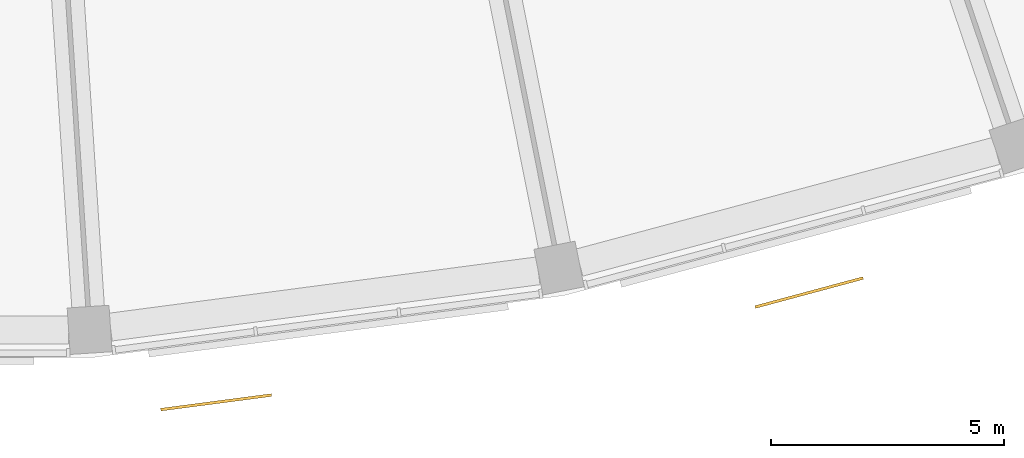
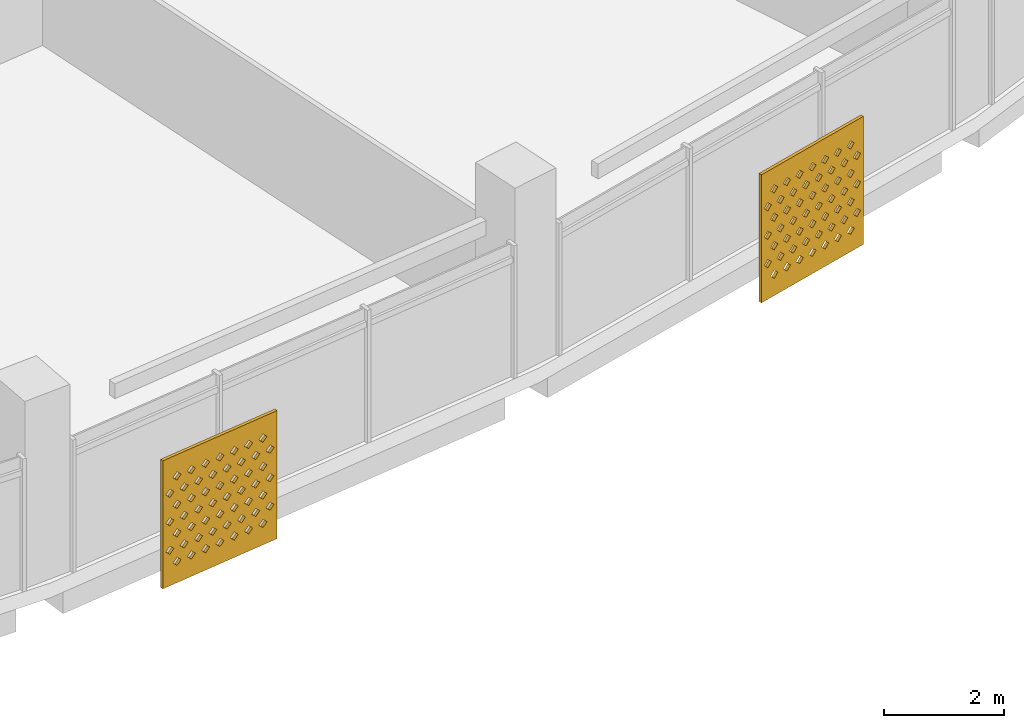
# One storey, part 26 of 28: 2 shading devices.
"""IFC4 building model written with IfcOpenShell, lengths in metres."""

import ifcopenshell
import ifcopenshell.guid

model = None  # the IFC model being written
_history = None  # IfcOwnerHistory: only IFC2X3 demands one
_inside = {}  # id of a spatial element -> (the spatial element, [elements in it])
_under = {}  # id of a project, library or spatial element -> (it, [spatial elements below it])
_declared = {}  # id of a project -> (the project, [libraries it declares])
_typed = {}  # id of a type object -> (the type object, [elements of that type])
_made_of = {}  # id of a material, layer set ... -> (it, [elements and type objects made of it])


def new_model(schema):
    """Start an empty IFC model of exactly this schema.

    Asked for "IFC4X3", IfcOpenShell would pick the latest addendum, in which some entities
    have other attributes; the version numbers below select the first issue.
    IFC2X3 requires an IfcOwnerHistory on every rooted entity: one is made here for all.
    """
    global model, _history
    if schema == "IFC4X3":
        model = ifcopenshell.file(schema_version=(4, 3, 0, 0))
    else:
        model = ifcopenshell.file(schema=schema)
    _inside.clear()
    _under.clear()
    _declared.clear()
    _typed.clear()
    _made_of.clear()
    _history = None
    if model.schema == "IFC2X3":
        org = make("IfcOrganization", Name="unknown")
        user = make(
            "IfcPersonAndOrganization",
            ThePerson=make("IfcPerson", FamilyName="unknown"),
            TheOrganization=org,
        )
        app = make(
            "IfcApplication",
            ApplicationDeveloper=org,
            Version="unknown",
            ApplicationFullName="unknown",
            ApplicationIdentifier="unknown",
        )
        _history = make(
            "IfcOwnerHistory",
            OwningUser=user,
            OwningApplication=app,
            ChangeAction="ADDED",
            CreationDate=0,
        )
    return model


def make(cls, **values):
    """One entity of the class cls with the attributes given. An attribute that is None is left unset."""
    return model.create_entity(
        cls, **{name: value for name, value in values.items() if value is not None}
    )


def rooted(cls, **values):
    """An entity with a GlobalId (a new one), such as an element, a storey or a relation."""
    return make(cls, GlobalId=ifcopenshell.guid.new(), OwnerHistory=_history, **values)


def si_unit(unit_type, name, prefix=None):
    """IfcSIUnit, for example si_unit("LENGTHUNIT", "METRE", prefix="MILLI")."""
    return make("IfcSIUnit", UnitType=unit_type, Prefix=prefix, Name=name)


def assignment(units):
    """IfcUnitAssignment: the units of a project."""
    return None if units is None else make("IfcUnitAssignment", Units=units)


def point(xyz):
    """IfcCartesianPoint."""
    return None if xyz is None else make("IfcCartesianPoint", Coordinates=xyz)


def direction(xyz):
    """IfcDirection."""
    return None if xyz is None else make("IfcDirection", DirectionRatios=xyz)


def frame(location, z_axis=None, x_axis=None):
    """IfcAxis2Placement3D, a coordinate frame: its origin and axes. An axis left out is left unset."""
    return make(
        "IfcAxis2Placement3D",
        Location=point(location),
        Axis=direction(z_axis),
        RefDirection=direction(x_axis),
    )


def origin():
    """The frame at (0, 0, 0) with its axes left unset."""
    return frame((0.0, 0.0, 0.0))


def place(relative_to, where):
    """IfcLocalPlacement: puts the frame where relative to a parent placement (None: the world)."""
    return make(
        "IfcLocalPlacement", PlacementRelTo=relative_to, RelativePlacement=where
    )


def context(
    kind, dimensions, precision=None, world=None, true_north=None, identifier=None
):
    """IfcGeometricRepresentationContext, for example the 3D "Model" context."""
    return make(
        "IfcGeometricRepresentationContext",
        ContextIdentifier=identifier,
        ContextType=kind,
        CoordinateSpaceDimension=dimensions,
        Precision=precision,
        WorldCoordinateSystem=world,
        TrueNorth=true_north,
    )


def subcontext(parent, identifier, kind, view, scale=None):
    """IfcGeometricRepresentationSubContext, for example "Body" below "Model"."""
    return make(
        "IfcGeometricRepresentationSubContext",
        ContextIdentifier=identifier,
        ContextType=kind,
        ParentContext=parent,
        TargetScale=scale,
        TargetView=view,
    )


def project(units=None, contexts=None):
    """IfcProject with its units and contexts."""
    return rooted(
        "IfcProject",
        Name="project",
        RepresentationContexts=contexts,
        UnitsInContext=assignment(units),
    )


def spatial(cls, under=None, at=None, **own):
    """A site, building, storey or space (cls), placed at a placement, below another one or the project."""
    s = rooted(cls, ObjectPlacement=at, **own)
    if under is not None:
        _under.setdefault(under.id(), (under, []))[1].append(s)
    return s


def polyline(points):
    """IfcPolyline through the points."""
    return make("IfcPolyline", Points=[point(p) for p in points])


def outline(outer, holes=None, kind="AREA"):
    """IfcArbitraryClosedProfileDef: a profile drawn as a closed curve; with holes, ...WithVoids."""
    if holes is None:
        return make("IfcArbitraryClosedProfileDef", ProfileType=kind, OuterCurve=outer)
    return make(
        "IfcArbitraryProfileDefWithVoids",
        ProfileType=kind,
        OuterCurve=outer,
        InnerCurves=holes,
    )


def extrude(swept, where, along, depth):
    """IfcExtrudedAreaSolid: the profile swept, set in the frame where, extruded along a direction by depth."""
    return make(
        "IfcExtrudedAreaSolid",
        SweptArea=swept,
        Position=where,
        ExtrudedDirection=direction(along),
        Depth=depth,
    )


def shape(context_of_items, identifier, shape_type, items):
    """IfcShapeRepresentation: the items that make up one representation, for example the "Body"."""
    return make(
        "IfcShapeRepresentation",
        ContextOfItems=context_of_items,
        RepresentationIdentifier=identifier,
        RepresentationType=shape_type,
        Items=items,
    )


def material(Name=None, Category=None):
    """IfcMaterial."""
    return make("IfcMaterial", Name=Name, Category=Category)


def material_profile(
    of_material, cross_section, Name=None, Category=None, Priority=None
):
    """IfcMaterialProfile: a cross section and its material."""
    return make(
        "IfcMaterialProfile",
        Name=Name,
        Material=of_material,
        Profile=cross_section,
        Priority=Priority,
        Category=Category,
    )


def profile_set(profiles, Name=None, composite=None):
    """IfcMaterialProfileSet."""
    return make(
        "IfcMaterialProfileSet",
        Name=Name,
        MaterialProfiles=profiles,
        CompositeProfile=composite,
    )


def made_of(thing, what):
    """Note that an element or type object is made of a material, layer set ...; save() writes the relation."""
    if what is not None:
        _made_of.setdefault(what.id(), (what, []))[1].append(thing)
    return thing


def type_object(cls, material=None, **own):
    """A type object (cls), such as IfcWallType, which elements share."""
    return made_of(rooted(cls, **own), material)


def element(
    cls,
    number,
    at=None,
    inside=None,
    cuts=None,
    type_object=None,
    material=None,
    context=None,
    identifier="Body",
    shape_type=None,
    held_by="IfcProductDefinitionShape",
    body=None,
    shapes=None,
    **own,
):
    """One element of the class cls, such as IfcWall. Its Tag is "e" and its number.

    at: its placement. inside: the storey or other place that contains it. cuts: it is an
    opening in that element (IfcRelVoidsElement). A single representation is given by context,
    identifier, shape_type and body (its items); several are given by shapes. held_by: the class
    of the entity that holds the representations. save() writes the other relations.
    """
    e = rooted(cls, Tag="e%d" % number, ObjectPlacement=at, **own)
    if body is not None:
        shapes = [shape(context, identifier, shape_type, body)]
    if shapes is not None:
        e.Representation = make(held_by, Representations=shapes)
    if inside is not None:
        _inside.setdefault(inside.id(), (inside, []))[1].append(e)
    if cuts is not None:
        rooted(
            "IfcRelVoidsElement", RelatingBuildingElement=cuts, RelatedOpeningElement=e
        )
    if type_object is not None:
        _typed.setdefault(type_object.id(), (type_object, []))[1].append(e)
    return made_of(e, material)


def aggregate(whole, parts):
    """IfcRelAggregates: a whole, such as a stair, and the parts it consists of."""
    return rooted("IfcRelAggregates", RelatingObject=whole, RelatedObjects=parts)


def save(model, path):
    """Write the relations noted so far, then the file.

    IfcRelAggregates (storeys below a building ...), IfcRelContainedInSpatialStructure (elements
    in a storey), IfcRelDefinesByType, IfcRelAssociatesMaterial and IfcRelDeclares: one each for
    every whole, place, type object, material and project.
    """
    for whole, parts in _under.values():
        aggregate(whole, parts)
    for where, things in _inside.values():
        rooted(
            "IfcRelContainedInSpatialStructure",
            RelatedElements=things,
            RelatingStructure=where,
        )
    for kind, things in _typed.values():
        rooted("IfcRelDefinesByType", RelatedObjects=things, RelatingType=kind)
    for what, things in _made_of.values():
        rooted("IfcRelAssociatesMaterial", RelatedObjects=things, RelatingMaterial=what)
    for by, libraries in _declared.values():
        rooted("IfcRelDeclares", RelatingContext=by, RelatedDefinitions=libraries)
    model.write(path)


model = new_model("IFC4")

# Units and contexts
model_context = context("Model", 3, precision=1e-05, world=origin(), true_north=direction((0.0, 1.0)))
body_context = subcontext(model_context, "Body", "Model", "MODEL_VIEW")
ifc_project = project(units=[si_unit("LENGTHUNIT", "METRE"), si_unit("AREAUNIT", "SQUARE_METRE"), si_unit("VOLUMEUNIT", "CUBIC_METRE"), si_unit("PLANEANGLEUNIT", "RADIAN"), si_unit("MASSUNIT", "GRAM", prefix="KILO")], contexts=[model_context])

# Site, building, storey
site_placement = place(None, origin())
site = spatial("IfcSite", under=ifc_project, at=site_placement, CompositionType="ELEMENT")
building_placement = place(site_placement, origin())
building = spatial("IfcBuilding", under=site, at=building_placement, Name="Qamariyya Broadcast Tower", CompositionType="ELEMENT")
storey_placement = place(building_placement, frame((0.0, 0.0, 269.5)))
storey = spatial("IfcBuildingStorey", under=building, at=storey_placement, Name="L65", CompositionType="ELEMENT", Elevation=269.5)

# Shading devices
ifc_material = material(Name="Perforated glazed terracotta", Category="masonry")
ifc_material_profile = material_profile(ifc_material, outline(polyline([(-1.199951171875, -1.300048828125), (1.199951171875, -1.300048828125), (1.199951171875, 1.300048828125), (-1.199951171875, 1.300048828125), (-1.199951171875, -1.300048828125)]), holes=[polyline([(-0.81494140625, -0.86669921875), (-0.89990234375, -0.78173828125), (-0.985107421875, -0.86669921875), (-0.89990234375, -0.95166015625), (-0.81494140625, -0.86669921875)]), polyline([(-0.514892578125, -0.86669921875), (-0.60009765625, -0.78173828125), (-0.68505859375, -0.86669921875), (-0.60009765625, -0.95166015625), (-0.514892578125, -0.86669921875)]), polyline([(-0.215087890625, -0.86669921875), (-0.300048828125, -0.78173828125), (-0.385009765625, -0.86669921875), (-0.300048828125, -0.95166015625), (-0.215087890625, -0.86669921875)]), polyline([(0.0849609375, -0.86669921875), (0.0, -0.78173828125), (-0.0849609375, -0.86669921875), (0.0, -0.95166015625), (0.0849609375, -0.86669921875)]), polyline([(0.385009765625, -0.86669921875), (0.300048828125, -0.78173828125), (0.215087890625, -0.86669921875), (0.300048828125, -0.95166015625), (0.385009765625, -0.86669921875)]), polyline([(0.68505859375, -0.86669921875), (0.60009765625, -0.78173828125), (0.514892578125, -0.86669921875), (0.60009765625, -0.95166015625), (0.68505859375, -0.86669921875)]), polyline([(0.985107421875, -0.86669921875), (0.89990234375, -0.78173828125), (0.81494140625, -0.86669921875), (0.89990234375, -0.95166015625), (0.985107421875, -0.86669921875)]), polyline([(-0.965087890625, -0.577880859375), (-1.050048828125, -0.49267578125), (-1.135009765625, -0.577880859375), (-1.050048828125, -0.662841796875), (-0.965087890625, -0.577880859375)]), polyline([(-0.6650390625, -0.577880859375), (-0.75, -0.49267578125), (-0.8349609375, -0.577880859375), (-0.75, -0.662841796875), (-0.6650390625, -0.577880859375)]), polyline([(-0.364990234375, -0.577880859375), (-0.449951171875, -0.49267578125), (-0.534912109375, -0.577880859375), (-0.449951171875, -0.662841796875), (-0.364990234375, -0.577880859375)]), polyline([(-0.06494140625, -0.577880859375), (-0.14990234375, -0.49267578125), (-0.235107421875, -0.577880859375), (-0.14990234375, -0.662841796875), (-0.06494140625, -0.577880859375)]), polyline([(0.235107421875, -0.577880859375), (0.14990234375, -0.49267578125), (0.06494140625, -0.577880859375), (0.14990234375, -0.662841796875), (0.235107421875, -0.577880859375)]), polyline([(0.534912109375, -0.577880859375), (0.449951171875, -0.49267578125), (0.364990234375, -0.577880859375), (0.449951171875, -0.662841796875), (0.534912109375, -0.577880859375)]), polyline([(0.8349609375, -0.577880859375), (0.75, -0.49267578125), (0.6650390625, -0.577880859375), (0.75, -0.662841796875), (0.8349609375, -0.577880859375)]), polyline([(1.135009765625, -0.577880859375), (1.050048828125, -0.49267578125), (0.965087890625, -0.577880859375), (1.050048828125, -0.662841796875), (1.135009765625, -0.577880859375)]), polyline([(-0.81494140625, -0.288818359375), (-0.89990234375, -0.203857421875), (-0.985107421875, -0.288818359375), (-0.89990234375, -0.373779296875), (-0.81494140625, -0.288818359375)]), polyline([(-0.514892578125, -0.288818359375), (-0.60009765625, -0.203857421875), (-0.68505859375, -0.288818359375), (-0.60009765625, -0.373779296875), (-0.514892578125, -0.288818359375)]), polyline([(-0.215087890625, -0.288818359375), (-0.300048828125, -0.203857421875), (-0.385009765625, -0.288818359375), (-0.300048828125, -0.373779296875), (-0.215087890625, -0.288818359375)]), polyline([(0.0849609375, -0.288818359375), (0.0, -0.203857421875), (-0.0849609375, -0.288818359375), (0.0, -0.373779296875), (0.0849609375, -0.288818359375)]), polyline([(0.385009765625, -0.288818359375), (0.300048828125, -0.203857421875), (0.215087890625, -0.288818359375), (0.300048828125, -0.373779296875), (0.385009765625, -0.288818359375)]), polyline([(0.68505859375, -0.288818359375), (0.60009765625, -0.203857421875), (0.514892578125, -0.288818359375), (0.60009765625, -0.373779296875), (0.68505859375, -0.288818359375)]), polyline([(0.985107421875, -0.288818359375), (0.89990234375, -0.203857421875), (0.81494140625, -0.288818359375), (0.89990234375, -0.373779296875), (0.985107421875, -0.288818359375)]), polyline([(-0.965087890625, 0.0), (-1.050048828125, 0.0849609375), (-1.135009765625, 0.0), (-1.050048828125, -0.0849609375), (-0.965087890625, 0.0)]), polyline([(-0.6650390625, 0.0), (-0.75, 0.0849609375), (-0.8349609375, 0.0), (-0.75, -0.0849609375), (-0.6650390625, 0.0)]), polyline([(-0.364990234375, 0.0), (-0.449951171875, 0.0849609375), (-0.534912109375, 0.0), (-0.449951171875, -0.0849609375), (-0.364990234375, 0.0)]), polyline([(-0.06494140625, 0.0), (-0.14990234375, 0.0849609375), (-0.235107421875, 0.0), (-0.14990234375, -0.0849609375), (-0.06494140625, 0.0)]), polyline([(0.235107421875, 0.0), (0.14990234375, 0.0849609375), (0.06494140625, 0.0), (0.14990234375, -0.0849609375), (0.235107421875, 0.0)]), polyline([(0.534912109375, 0.0), (0.449951171875, 0.0849609375), (0.364990234375, 0.0), (0.449951171875, -0.0849609375), (0.534912109375, 0.0)]), polyline([(0.8349609375, 0.0), (0.75, 0.0849609375), (0.6650390625, 0.0), (0.75, -0.0849609375), (0.8349609375, 0.0)]), polyline([(1.135009765625, 0.0), (1.050048828125, 0.0849609375), (0.965087890625, 0.0), (1.050048828125, -0.0849609375), (1.135009765625, 0.0)]), polyline([(-0.81494140625, 0.288818359375), (-0.89990234375, 0.373779296875), (-0.985107421875, 0.288818359375), (-0.89990234375, 0.203857421875), (-0.81494140625, 0.288818359375)]), polyline([(-0.514892578125, 0.288818359375), (-0.60009765625, 0.373779296875), (-0.68505859375, 0.288818359375), (-0.60009765625, 0.203857421875), (-0.514892578125, 0.288818359375)]), polyline([(-0.215087890625, 0.288818359375), (-0.300048828125, 0.373779296875), (-0.385009765625, 0.288818359375), (-0.300048828125, 0.203857421875), (-0.215087890625, 0.288818359375)]), polyline([(0.0849609375, 0.288818359375), (0.0, 0.373779296875), (-0.0849609375, 0.288818359375), (0.0, 0.203857421875), (0.0849609375, 0.288818359375)]), polyline([(0.385009765625, 0.288818359375), (0.300048828125, 0.373779296875), (0.215087890625, 0.288818359375), (0.300048828125, 0.203857421875), (0.385009765625, 0.288818359375)]), polyline([(0.68505859375, 0.288818359375), (0.60009765625, 0.373779296875), (0.514892578125, 0.288818359375), (0.60009765625, 0.203857421875), (0.68505859375, 0.288818359375)]), polyline([(0.985107421875, 0.288818359375), (0.89990234375, 0.373779296875), (0.81494140625, 0.288818359375), (0.89990234375, 0.203857421875), (0.985107421875, 0.288818359375)]), polyline([(-0.965087890625, 0.577880859375), (-1.050048828125, 0.662841796875), (-1.135009765625, 0.577880859375), (-1.050048828125, 0.49267578125), (-0.965087890625, 0.577880859375)]), polyline([(-0.6650390625, 0.577880859375), (-0.75, 0.662841796875), (-0.8349609375, 0.577880859375), (-0.75, 0.49267578125), (-0.6650390625, 0.577880859375)]), polyline([(-0.364990234375, 0.577880859375), (-0.449951171875, 0.662841796875), (-0.534912109375, 0.577880859375), (-0.449951171875, 0.49267578125), (-0.364990234375, 0.577880859375)]), polyline([(-0.06494140625, 0.577880859375), (-0.14990234375, 0.662841796875), (-0.235107421875, 0.577880859375), (-0.14990234375, 0.49267578125), (-0.06494140625, 0.577880859375)]), polyline([(0.235107421875, 0.577880859375), (0.14990234375, 0.662841796875), (0.06494140625, 0.577880859375), (0.14990234375, 0.49267578125), (0.235107421875, 0.577880859375)]), polyline([(0.534912109375, 0.577880859375), (0.449951171875, 0.662841796875), (0.364990234375, 0.577880859375), (0.449951171875, 0.49267578125), (0.534912109375, 0.577880859375)]), polyline([(0.8349609375, 0.577880859375), (0.75, 0.662841796875), (0.6650390625, 0.577880859375), (0.75, 0.49267578125), (0.8349609375, 0.577880859375)]), polyline([(1.135009765625, 0.577880859375), (1.050048828125, 0.662841796875), (0.965087890625, 0.577880859375), (1.050048828125, 0.49267578125), (1.135009765625, 0.577880859375)]), polyline([(-0.81494140625, 0.86669921875), (-0.89990234375, 0.95166015625), (-0.985107421875, 0.86669921875), (-0.89990234375, 0.78173828125), (-0.81494140625, 0.86669921875)]), polyline([(-0.514892578125, 0.86669921875), (-0.60009765625, 0.95166015625), (-0.68505859375, 0.86669921875), (-0.60009765625, 0.78173828125), (-0.514892578125, 0.86669921875)]), polyline([(-0.215087890625, 0.86669921875), (-0.300048828125, 0.95166015625), (-0.385009765625, 0.86669921875), (-0.300048828125, 0.78173828125), (-0.215087890625, 0.86669921875)]), polyline([(0.0849609375, 0.86669921875), (0.0, 0.95166015625), (-0.0849609375, 0.86669921875), (0.0, 0.78173828125), (0.0849609375, 0.86669921875)]), polyline([(0.385009765625, 0.86669921875), (0.300048828125, 0.95166015625), (0.215087890625, 0.86669921875), (0.300048828125, 0.78173828125), (0.385009765625, 0.86669921875)]), polyline([(0.68505859375, 0.86669921875), (0.60009765625, 0.95166015625), (0.514892578125, 0.86669921875), (0.60009765625, 0.78173828125), (0.68505859375, 0.86669921875)]), polyline([(0.985107421875, 0.86669921875), (0.89990234375, 0.95166015625), (0.81494140625, 0.86669921875), (0.89990234375, 0.78173828125), (0.985107421875, 0.86669921875)])]))
ifc_profile_set = profile_set([ifc_material_profile], Name="Perforated glazed terracotta")
shading_device_type = type_object("IfcShadingDeviceType", Name="Perforated terracotta screen 2400 x 2600", PredefinedType="USERDEFINED", material=ifc_profile_set)
shading_device_1_placement = place(storey_placement, frame((7.799560546875, -79.111083984375, 1.35009765625), z_axis=(0.13056005306, -0.991440402921, 0.0), x_axis=(0.991440402921, 0.13056005306, 0.0)))
element("IfcShadingDevice", 1, at=shading_device_1_placement, inside=storey, type_object=shading_device_type, Name="e-scr-L65-08-0", ObjectType="SCREEN", PredefinedType="USERDEFINED", context=body_context, shape_type="SweptSolid", body=[
    extrude(outline(polyline([(-1.199951171875, -1.300048828125), (1.199951171875, -1.300048828125), (1.199951171875, 1.300048828125), (-1.199951171875, 1.300048828125), (-1.199951171875, -1.300048828125)]), holes=[polyline([(-0.81494140625, -0.86669921875), (-0.89990234375, -0.78173828125), (-0.985107421875, -0.86669921875), (-0.89990234375, -0.95166015625), (-0.81494140625, -0.86669921875)]), polyline([(-0.514892578125, -0.86669921875), (-0.60009765625, -0.78173828125), (-0.68505859375, -0.86669921875), (-0.60009765625, -0.95166015625), (-0.514892578125, -0.86669921875)]), polyline([(-0.215087890625, -0.86669921875), (-0.300048828125, -0.78173828125), (-0.385009765625, -0.86669921875), (-0.300048828125, -0.95166015625), (-0.215087890625, -0.86669921875)]), polyline([(0.0849609375, -0.86669921875), (0.0, -0.78173828125), (-0.0849609375, -0.86669921875), (0.0, -0.95166015625), (0.0849609375, -0.86669921875)]), polyline([(0.385009765625, -0.86669921875), (0.300048828125, -0.78173828125), (0.215087890625, -0.86669921875), (0.300048828125, -0.95166015625), (0.385009765625, -0.86669921875)]), polyline([(0.68505859375, -0.86669921875), (0.60009765625, -0.78173828125), (0.514892578125, -0.86669921875), (0.60009765625, -0.95166015625), (0.68505859375, -0.86669921875)]), polyline([(0.985107421875, -0.86669921875), (0.89990234375, -0.78173828125), (0.81494140625, -0.86669921875), (0.89990234375, -0.95166015625), (0.985107421875, -0.86669921875)]), polyline([(-0.965087890625, -0.577880859375), (-1.050048828125, -0.49267578125), (-1.135009765625, -0.577880859375), (-1.050048828125, -0.662841796875), (-0.965087890625, -0.577880859375)]), polyline([(-0.6650390625, -0.577880859375), (-0.75, -0.49267578125), (-0.8349609375, -0.577880859375), (-0.75, -0.662841796875), (-0.6650390625, -0.577880859375)]), polyline([(-0.364990234375, -0.577880859375), (-0.449951171875, -0.49267578125), (-0.534912109375, -0.577880859375), (-0.449951171875, -0.662841796875), (-0.364990234375, -0.577880859375)]), polyline([(-0.06494140625, -0.577880859375), (-0.14990234375, -0.49267578125), (-0.235107421875, -0.577880859375), (-0.14990234375, -0.662841796875), (-0.06494140625, -0.577880859375)]), polyline([(0.235107421875, -0.577880859375), (0.14990234375, -0.49267578125), (0.06494140625, -0.577880859375), (0.14990234375, -0.662841796875), (0.235107421875, -0.577880859375)]), polyline([(0.534912109375, -0.577880859375), (0.449951171875, -0.49267578125), (0.364990234375, -0.577880859375), (0.449951171875, -0.662841796875), (0.534912109375, -0.577880859375)]), polyline([(0.8349609375, -0.577880859375), (0.75, -0.49267578125), (0.6650390625, -0.577880859375), (0.75, -0.662841796875), (0.8349609375, -0.577880859375)]), polyline([(1.135009765625, -0.577880859375), (1.050048828125, -0.49267578125), (0.965087890625, -0.577880859375), (1.050048828125, -0.662841796875), (1.135009765625, -0.577880859375)]), polyline([(-0.81494140625, -0.288818359375), (-0.89990234375, -0.203857421875), (-0.985107421875, -0.288818359375), (-0.89990234375, -0.373779296875), (-0.81494140625, -0.288818359375)]), polyline([(-0.514892578125, -0.288818359375), (-0.60009765625, -0.203857421875), (-0.68505859375, -0.288818359375), (-0.60009765625, -0.373779296875), (-0.514892578125, -0.288818359375)]), polyline([(-0.215087890625, -0.288818359375), (-0.300048828125, -0.203857421875), (-0.385009765625, -0.288818359375), (-0.300048828125, -0.373779296875), (-0.215087890625, -0.288818359375)]), polyline([(0.0849609375, -0.288818359375), (0.0, -0.203857421875), (-0.0849609375, -0.288818359375), (0.0, -0.373779296875), (0.0849609375, -0.288818359375)]), polyline([(0.385009765625, -0.288818359375), (0.300048828125, -0.203857421875), (0.215087890625, -0.288818359375), (0.300048828125, -0.373779296875), (0.385009765625, -0.288818359375)]), polyline([(0.68505859375, -0.288818359375), (0.60009765625, -0.203857421875), (0.514892578125, -0.288818359375), (0.60009765625, -0.373779296875), (0.68505859375, -0.288818359375)]), polyline([(0.985107421875, -0.288818359375), (0.89990234375, -0.203857421875), (0.81494140625, -0.288818359375), (0.89990234375, -0.373779296875), (0.985107421875, -0.288818359375)]), polyline([(-0.965087890625, 0.0), (-1.050048828125, 0.0849609375), (-1.135009765625, 0.0), (-1.050048828125, -0.0849609375), (-0.965087890625, 0.0)]), polyline([(-0.6650390625, 0.0), (-0.75, 0.0849609375), (-0.8349609375, 0.0), (-0.75, -0.0849609375), (-0.6650390625, 0.0)]), polyline([(-0.364990234375, 0.0), (-0.449951171875, 0.0849609375), (-0.534912109375, 0.0), (-0.449951171875, -0.0849609375), (-0.364990234375, 0.0)]), polyline([(-0.06494140625, 0.0), (-0.14990234375, 0.0849609375), (-0.235107421875, 0.0), (-0.14990234375, -0.0849609375), (-0.06494140625, 0.0)]), polyline([(0.235107421875, 0.0), (0.14990234375, 0.0849609375), (0.06494140625, 0.0), (0.14990234375, -0.0849609375), (0.235107421875, 0.0)]), polyline([(0.534912109375, 0.0), (0.449951171875, 0.0849609375), (0.364990234375, 0.0), (0.449951171875, -0.0849609375), (0.534912109375, 0.0)]), polyline([(0.8349609375, 0.0), (0.75, 0.0849609375), (0.6650390625, 0.0), (0.75, -0.0849609375), (0.8349609375, 0.0)]), polyline([(1.135009765625, 0.0), (1.050048828125, 0.0849609375), (0.965087890625, 0.0), (1.050048828125, -0.0849609375), (1.135009765625, 0.0)]), polyline([(-0.81494140625, 0.288818359375), (-0.89990234375, 0.373779296875), (-0.985107421875, 0.288818359375), (-0.89990234375, 0.203857421875), (-0.81494140625, 0.288818359375)]), polyline([(-0.514892578125, 0.288818359375), (-0.60009765625, 0.373779296875), (-0.68505859375, 0.288818359375), (-0.60009765625, 0.203857421875), (-0.514892578125, 0.288818359375)]), polyline([(-0.215087890625, 0.288818359375), (-0.300048828125, 0.373779296875), (-0.385009765625, 0.288818359375), (-0.300048828125, 0.203857421875), (-0.215087890625, 0.288818359375)]), polyline([(0.0849609375, 0.288818359375), (0.0, 0.373779296875), (-0.0849609375, 0.288818359375), (0.0, 0.203857421875), (0.0849609375, 0.288818359375)]), polyline([(0.385009765625, 0.288818359375), (0.300048828125, 0.373779296875), (0.215087890625, 0.288818359375), (0.300048828125, 0.203857421875), (0.385009765625, 0.288818359375)]), polyline([(0.68505859375, 0.288818359375), (0.60009765625, 0.373779296875), (0.514892578125, 0.288818359375), (0.60009765625, 0.203857421875), (0.68505859375, 0.288818359375)]), polyline([(0.985107421875, 0.288818359375), (0.89990234375, 0.373779296875), (0.81494140625, 0.288818359375), (0.89990234375, 0.203857421875), (0.985107421875, 0.288818359375)]), polyline([(-0.965087890625, 0.577880859375), (-1.050048828125, 0.662841796875), (-1.135009765625, 0.577880859375), (-1.050048828125, 0.49267578125), (-0.965087890625, 0.577880859375)]), polyline([(-0.6650390625, 0.577880859375), (-0.75, 0.662841796875), (-0.8349609375, 0.577880859375), (-0.75, 0.49267578125), (-0.6650390625, 0.577880859375)]), polyline([(-0.364990234375, 0.577880859375), (-0.449951171875, 0.662841796875), (-0.534912109375, 0.577880859375), (-0.449951171875, 0.49267578125), (-0.364990234375, 0.577880859375)]), polyline([(-0.06494140625, 0.577880859375), (-0.14990234375, 0.662841796875), (-0.235107421875, 0.577880859375), (-0.14990234375, 0.49267578125), (-0.06494140625, 0.577880859375)]), polyline([(0.235107421875, 0.577880859375), (0.14990234375, 0.662841796875), (0.06494140625, 0.577880859375), (0.14990234375, 0.49267578125), (0.235107421875, 0.577880859375)]), polyline([(0.534912109375, 0.577880859375), (0.449951171875, 0.662841796875), (0.364990234375, 0.577880859375), (0.449951171875, 0.49267578125), (0.534912109375, 0.577880859375)]), polyline([(0.8349609375, 0.577880859375), (0.75, 0.662841796875), (0.6650390625, 0.577880859375), (0.75, 0.49267578125), (0.8349609375, 0.577880859375)]), polyline([(1.135009765625, 0.577880859375), (1.050048828125, 0.662841796875), (0.965087890625, 0.577880859375), (1.050048828125, 0.49267578125), (1.135009765625, 0.577880859375)]), polyline([(-0.81494140625, 0.86669921875), (-0.89990234375, 0.95166015625), (-0.985107421875, 0.86669921875), (-0.89990234375, 0.78173828125), (-0.81494140625, 0.86669921875)]), polyline([(-0.514892578125, 0.86669921875), (-0.60009765625, 0.95166015625), (-0.68505859375, 0.86669921875), (-0.60009765625, 0.78173828125), (-0.514892578125, 0.86669921875)]), polyline([(-0.215087890625, 0.86669921875), (-0.300048828125, 0.95166015625), (-0.385009765625, 0.86669921875), (-0.300048828125, 0.78173828125), (-0.215087890625, 0.86669921875)]), polyline([(0.0849609375, 0.86669921875), (0.0, 0.95166015625), (-0.0849609375, 0.86669921875), (0.0, 0.78173828125), (0.0849609375, 0.86669921875)]), polyline([(0.385009765625, 0.86669921875), (0.300048828125, 0.95166015625), (0.215087890625, 0.86669921875), (0.300048828125, 0.78173828125), (0.385009765625, 0.86669921875)]), polyline([(0.68505859375, 0.86669921875), (0.60009765625, 0.95166015625), (0.514892578125, 0.86669921875), (0.60009765625, 0.78173828125), (0.68505859375, 0.86669921875)]), polyline([(0.985107421875, 0.86669921875), (0.89990234375, 0.95166015625), (0.81494140625, 0.86669921875), (0.89990234375, 0.78173828125), (0.985107421875, 0.86669921875)])]), origin(), (0.0, 0.0, 1.0), 0.059814453125),
])
shading_device_2_placement = place(storey_placement, frame((20.53369140625, -76.7529296875, 1.35009765625), z_axis=(0.259682438219, -0.965694067125, 0.0), x_axis=(0.965694067125, 0.259682438219, 0.0)))
element("IfcShadingDevice", 2, at=shading_device_2_placement, inside=storey, type_object=shading_device_type, Name="e-scr-L65-09-1", ObjectType="SCREEN", PredefinedType="USERDEFINED", context=body_context, shape_type="SweptSolid", body=[
    extrude(outline(polyline([(-1.199951171875, -1.300048828125), (1.199951171875, -1.300048828125), (1.199951171875, 1.300048828125), (-1.199951171875, 1.300048828125), (-1.199951171875, -1.300048828125)]), holes=[polyline([(-0.81494140625, -0.86669921875), (-0.89990234375, -0.78173828125), (-0.985107421875, -0.86669921875), (-0.89990234375, -0.95166015625), (-0.81494140625, -0.86669921875)]), polyline([(-0.514892578125, -0.86669921875), (-0.60009765625, -0.78173828125), (-0.68505859375, -0.86669921875), (-0.60009765625, -0.95166015625), (-0.514892578125, -0.86669921875)]), polyline([(-0.215087890625, -0.86669921875), (-0.300048828125, -0.78173828125), (-0.385009765625, -0.86669921875), (-0.300048828125, -0.95166015625), (-0.215087890625, -0.86669921875)]), polyline([(0.0849609375, -0.86669921875), (0.0, -0.78173828125), (-0.0849609375, -0.86669921875), (0.0, -0.95166015625), (0.0849609375, -0.86669921875)]), polyline([(0.385009765625, -0.86669921875), (0.300048828125, -0.78173828125), (0.215087890625, -0.86669921875), (0.300048828125, -0.95166015625), (0.385009765625, -0.86669921875)]), polyline([(0.68505859375, -0.86669921875), (0.60009765625, -0.78173828125), (0.514892578125, -0.86669921875), (0.60009765625, -0.95166015625), (0.68505859375, -0.86669921875)]), polyline([(0.985107421875, -0.86669921875), (0.89990234375, -0.78173828125), (0.81494140625, -0.86669921875), (0.89990234375, -0.95166015625), (0.985107421875, -0.86669921875)]), polyline([(-0.965087890625, -0.577880859375), (-1.050048828125, -0.49267578125), (-1.135009765625, -0.577880859375), (-1.050048828125, -0.662841796875), (-0.965087890625, -0.577880859375)]), polyline([(-0.6650390625, -0.577880859375), (-0.75, -0.49267578125), (-0.8349609375, -0.577880859375), (-0.75, -0.662841796875), (-0.6650390625, -0.577880859375)]), polyline([(-0.364990234375, -0.577880859375), (-0.449951171875, -0.49267578125), (-0.534912109375, -0.577880859375), (-0.449951171875, -0.662841796875), (-0.364990234375, -0.577880859375)]), polyline([(-0.06494140625, -0.577880859375), (-0.14990234375, -0.49267578125), (-0.235107421875, -0.577880859375), (-0.14990234375, -0.662841796875), (-0.06494140625, -0.577880859375)]), polyline([(0.235107421875, -0.577880859375), (0.14990234375, -0.49267578125), (0.06494140625, -0.577880859375), (0.14990234375, -0.662841796875), (0.235107421875, -0.577880859375)]), polyline([(0.534912109375, -0.577880859375), (0.449951171875, -0.49267578125), (0.364990234375, -0.577880859375), (0.449951171875, -0.662841796875), (0.534912109375, -0.577880859375)]), polyline([(0.8349609375, -0.577880859375), (0.75, -0.49267578125), (0.6650390625, -0.577880859375), (0.75, -0.662841796875), (0.8349609375, -0.577880859375)]), polyline([(1.135009765625, -0.577880859375), (1.050048828125, -0.49267578125), (0.965087890625, -0.577880859375), (1.050048828125, -0.662841796875), (1.135009765625, -0.577880859375)]), polyline([(-0.81494140625, -0.288818359375), (-0.89990234375, -0.203857421875), (-0.985107421875, -0.288818359375), (-0.89990234375, -0.373779296875), (-0.81494140625, -0.288818359375)]), polyline([(-0.514892578125, -0.288818359375), (-0.60009765625, -0.203857421875), (-0.68505859375, -0.288818359375), (-0.60009765625, -0.373779296875), (-0.514892578125, -0.288818359375)]), polyline([(-0.215087890625, -0.288818359375), (-0.300048828125, -0.203857421875), (-0.385009765625, -0.288818359375), (-0.300048828125, -0.373779296875), (-0.215087890625, -0.288818359375)]), polyline([(0.0849609375, -0.288818359375), (0.0, -0.203857421875), (-0.0849609375, -0.288818359375), (0.0, -0.373779296875), (0.0849609375, -0.288818359375)]), polyline([(0.385009765625, -0.288818359375), (0.300048828125, -0.203857421875), (0.215087890625, -0.288818359375), (0.300048828125, -0.373779296875), (0.385009765625, -0.288818359375)]), polyline([(0.68505859375, -0.288818359375), (0.60009765625, -0.203857421875), (0.514892578125, -0.288818359375), (0.60009765625, -0.373779296875), (0.68505859375, -0.288818359375)]), polyline([(0.985107421875, -0.288818359375), (0.89990234375, -0.203857421875), (0.81494140625, -0.288818359375), (0.89990234375, -0.373779296875), (0.985107421875, -0.288818359375)]), polyline([(-0.965087890625, 0.0), (-1.050048828125, 0.0849609375), (-1.135009765625, 0.0), (-1.050048828125, -0.0849609375), (-0.965087890625, 0.0)]), polyline([(-0.6650390625, 0.0), (-0.75, 0.0849609375), (-0.8349609375, 0.0), (-0.75, -0.0849609375), (-0.6650390625, 0.0)]), polyline([(-0.364990234375, 0.0), (-0.449951171875, 0.0849609375), (-0.534912109375, 0.0), (-0.449951171875, -0.0849609375), (-0.364990234375, 0.0)]), polyline([(-0.06494140625, 0.0), (-0.14990234375, 0.0849609375), (-0.235107421875, 0.0), (-0.14990234375, -0.0849609375), (-0.06494140625, 0.0)]), polyline([(0.235107421875, 0.0), (0.14990234375, 0.0849609375), (0.06494140625, 0.0), (0.14990234375, -0.0849609375), (0.235107421875, 0.0)]), polyline([(0.534912109375, 0.0), (0.449951171875, 0.0849609375), (0.364990234375, 0.0), (0.449951171875, -0.0849609375), (0.534912109375, 0.0)]), polyline([(0.8349609375, 0.0), (0.75, 0.0849609375), (0.6650390625, 0.0), (0.75, -0.0849609375), (0.8349609375, 0.0)]), polyline([(1.135009765625, 0.0), (1.050048828125, 0.0849609375), (0.965087890625, 0.0), (1.050048828125, -0.0849609375), (1.135009765625, 0.0)]), polyline([(-0.81494140625, 0.288818359375), (-0.89990234375, 0.373779296875), (-0.985107421875, 0.288818359375), (-0.89990234375, 0.203857421875), (-0.81494140625, 0.288818359375)]), polyline([(-0.514892578125, 0.288818359375), (-0.60009765625, 0.373779296875), (-0.68505859375, 0.288818359375), (-0.60009765625, 0.203857421875), (-0.514892578125, 0.288818359375)]), polyline([(-0.215087890625, 0.288818359375), (-0.300048828125, 0.373779296875), (-0.385009765625, 0.288818359375), (-0.300048828125, 0.203857421875), (-0.215087890625, 0.288818359375)]), polyline([(0.0849609375, 0.288818359375), (0.0, 0.373779296875), (-0.0849609375, 0.288818359375), (0.0, 0.203857421875), (0.0849609375, 0.288818359375)]), polyline([(0.385009765625, 0.288818359375), (0.300048828125, 0.373779296875), (0.215087890625, 0.288818359375), (0.300048828125, 0.203857421875), (0.385009765625, 0.288818359375)]), polyline([(0.68505859375, 0.288818359375), (0.60009765625, 0.373779296875), (0.514892578125, 0.288818359375), (0.60009765625, 0.203857421875), (0.68505859375, 0.288818359375)]), polyline([(0.985107421875, 0.288818359375), (0.89990234375, 0.373779296875), (0.81494140625, 0.288818359375), (0.89990234375, 0.203857421875), (0.985107421875, 0.288818359375)]), polyline([(-0.965087890625, 0.577880859375), (-1.050048828125, 0.662841796875), (-1.135009765625, 0.577880859375), (-1.050048828125, 0.49267578125), (-0.965087890625, 0.577880859375)]), polyline([(-0.6650390625, 0.577880859375), (-0.75, 0.662841796875), (-0.8349609375, 0.577880859375), (-0.75, 0.49267578125), (-0.6650390625, 0.577880859375)]), polyline([(-0.364990234375, 0.577880859375), (-0.449951171875, 0.662841796875), (-0.534912109375, 0.577880859375), (-0.449951171875, 0.49267578125), (-0.364990234375, 0.577880859375)]), polyline([(-0.06494140625, 0.577880859375), (-0.14990234375, 0.662841796875), (-0.235107421875, 0.577880859375), (-0.14990234375, 0.49267578125), (-0.06494140625, 0.577880859375)]), polyline([(0.235107421875, 0.577880859375), (0.14990234375, 0.662841796875), (0.06494140625, 0.577880859375), (0.14990234375, 0.49267578125), (0.235107421875, 0.577880859375)]), polyline([(0.534912109375, 0.577880859375), (0.449951171875, 0.662841796875), (0.364990234375, 0.577880859375), (0.449951171875, 0.49267578125), (0.534912109375, 0.577880859375)]), polyline([(0.8349609375, 0.577880859375), (0.75, 0.662841796875), (0.6650390625, 0.577880859375), (0.75, 0.49267578125), (0.8349609375, 0.577880859375)]), polyline([(1.135009765625, 0.577880859375), (1.050048828125, 0.662841796875), (0.965087890625, 0.577880859375), (1.050048828125, 0.49267578125), (1.135009765625, 0.577880859375)]), polyline([(-0.81494140625, 0.86669921875), (-0.89990234375, 0.95166015625), (-0.985107421875, 0.86669921875), (-0.89990234375, 0.78173828125), (-0.81494140625, 0.86669921875)]), polyline([(-0.514892578125, 0.86669921875), (-0.60009765625, 0.95166015625), (-0.68505859375, 0.86669921875), (-0.60009765625, 0.78173828125), (-0.514892578125, 0.86669921875)]), polyline([(-0.215087890625, 0.86669921875), (-0.300048828125, 0.95166015625), (-0.385009765625, 0.86669921875), (-0.300048828125, 0.78173828125), (-0.215087890625, 0.86669921875)]), polyline([(0.0849609375, 0.86669921875), (0.0, 0.95166015625), (-0.0849609375, 0.86669921875), (0.0, 0.78173828125), (0.0849609375, 0.86669921875)]), polyline([(0.385009765625, 0.86669921875), (0.300048828125, 0.95166015625), (0.215087890625, 0.86669921875), (0.300048828125, 0.78173828125), (0.385009765625, 0.86669921875)]), polyline([(0.68505859375, 0.86669921875), (0.60009765625, 0.95166015625), (0.514892578125, 0.86669921875), (0.60009765625, 0.78173828125), (0.68505859375, 0.86669921875)]), polyline([(0.985107421875, 0.86669921875), (0.89990234375, 0.95166015625), (0.81494140625, 0.86669921875), (0.89990234375, 0.78173828125), (0.985107421875, 0.86669921875)])]), origin(), (0.0, 0.0, 1.0), 0.06005859375),
])

save(model, "model.ifc")
